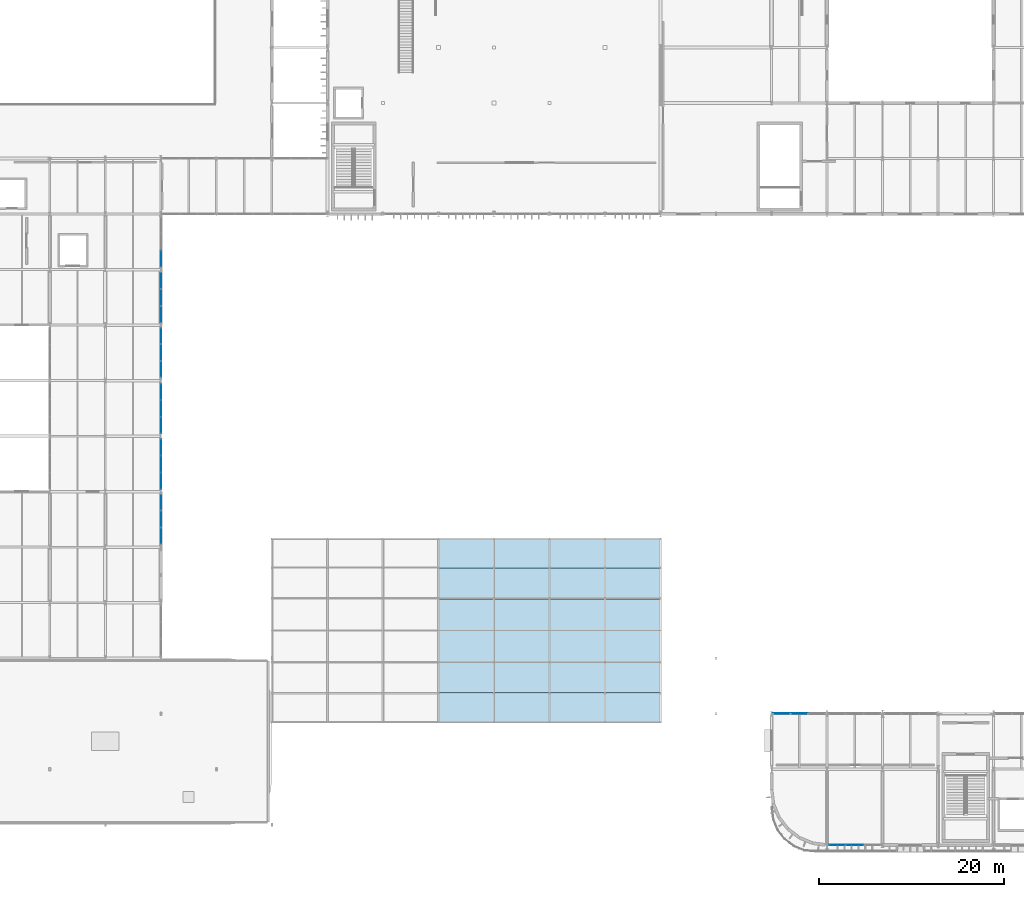
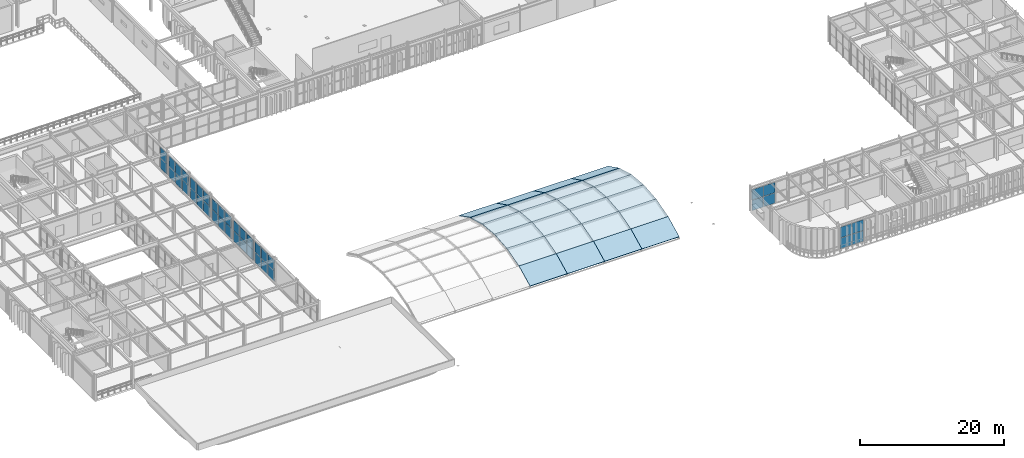
# One storey, part 47 of 84: 40 plates, 24 slabs, 8 elements without a shape of their own.
"""IFC4 building model written with IfcOpenShell, lengths in metres."""

import ifcopenshell
import ifcopenshell.guid

model = None  # the IFC model being written
_history = None  # IfcOwnerHistory: only IFC2X3 demands one
_inside = {}  # id of a spatial element -> (the spatial element, [elements in it])
_under = {}  # id of a project, library or spatial element -> (it, [spatial elements below it])
_declared = {}  # id of a project -> (the project, [libraries it declares])
_typed = {}  # id of a type object -> (the type object, [elements of that type])
_made_of = {}  # id of a material, layer set ... -> (it, [elements and type objects made of it])


def new_model(schema):
    """Start an empty IFC model of exactly this schema.

    Asked for "IFC4X3", IfcOpenShell would pick the latest addendum, in which some entities
    have other attributes; the version numbers below select the first issue.
    IFC2X3 requires an IfcOwnerHistory on every rooted entity: one is made here for all.
    """
    global model, _history
    if schema == "IFC4X3":
        model = ifcopenshell.file(schema_version=(4, 3, 0, 0))
    else:
        model = ifcopenshell.file(schema=schema)
    _inside.clear()
    _under.clear()
    _declared.clear()
    _typed.clear()
    _made_of.clear()
    _history = None
    if model.schema == "IFC2X3":
        org = make("IfcOrganization", Name="unknown")
        user = make(
            "IfcPersonAndOrganization",
            ThePerson=make("IfcPerson", FamilyName="unknown"),
            TheOrganization=org,
        )
        app = make(
            "IfcApplication",
            ApplicationDeveloper=org,
            Version="unknown",
            ApplicationFullName="unknown",
            ApplicationIdentifier="unknown",
        )
        _history = make(
            "IfcOwnerHistory",
            OwningUser=user,
            OwningApplication=app,
            ChangeAction="ADDED",
            CreationDate=0,
        )
    return model


def make(cls, **values):
    """One entity of the class cls with the attributes given. An attribute that is None is left unset."""
    return model.create_entity(
        cls, **{name: value for name, value in values.items() if value is not None}
    )


def rooted(cls, **values):
    """An entity with a GlobalId (a new one), such as an element, a storey or a relation."""
    return make(cls, GlobalId=ifcopenshell.guid.new(), OwnerHistory=_history, **values)


def si_unit(unit_type, name, prefix=None):
    """IfcSIUnit, for example si_unit("LENGTHUNIT", "METRE", prefix="MILLI")."""
    return make("IfcSIUnit", UnitType=unit_type, Prefix=prefix, Name=name)


def assignment(units):
    """IfcUnitAssignment: the units of a project."""
    return None if units is None else make("IfcUnitAssignment", Units=units)


def point(xyz):
    """IfcCartesianPoint."""
    return None if xyz is None else make("IfcCartesianPoint", Coordinates=xyz)


def direction(xyz):
    """IfcDirection."""
    return None if xyz is None else make("IfcDirection", DirectionRatios=xyz)


def frame(location, z_axis=None, x_axis=None):
    """IfcAxis2Placement3D, a coordinate frame: its origin and axes. An axis left out is left unset."""
    return make(
        "IfcAxis2Placement3D",
        Location=point(location),
        Axis=direction(z_axis),
        RefDirection=direction(x_axis),
    )


def frame_2d(location, x_axis=None):
    """IfcAxis2Placement2D, a coordinate frame in the plane: its origin and x axis."""
    return make(
        "IfcAxis2Placement2D", Location=point(location), RefDirection=direction(x_axis)
    )


def origin():
    """The frame at (0, 0, 0) with its axes left unset."""
    return frame((0.0, 0.0, 0.0))


def origin_2d():
    """The frame at (0, 0) in the plane with its x axis left unset."""
    return frame_2d((0.0, 0.0))


def place(relative_to, where):
    """IfcLocalPlacement: puts the frame where relative to a parent placement (None: the world)."""
    return make(
        "IfcLocalPlacement", PlacementRelTo=relative_to, RelativePlacement=where
    )


def context(
    kind, dimensions, precision=None, world=None, true_north=None, identifier=None
):
    """IfcGeometricRepresentationContext, for example the 3D "Model" context."""
    return make(
        "IfcGeometricRepresentationContext",
        ContextIdentifier=identifier,
        ContextType=kind,
        CoordinateSpaceDimension=dimensions,
        Precision=precision,
        WorldCoordinateSystem=world,
        TrueNorth=true_north,
    )


def subcontext(parent, identifier, kind, view, scale=None):
    """IfcGeometricRepresentationSubContext, for example "Body" below "Model"."""
    return make(
        "IfcGeometricRepresentationSubContext",
        ContextIdentifier=identifier,
        ContextType=kind,
        ParentContext=parent,
        TargetScale=scale,
        TargetView=view,
    )


def project(units=None, contexts=None):
    """IfcProject with its units and contexts."""
    return rooted(
        "IfcProject",
        Name="project",
        RepresentationContexts=contexts,
        UnitsInContext=assignment(units),
    )


def spatial(cls, under=None, at=None, **own):
    """A site, building, storey or space (cls), placed at a placement, below another one or the project."""
    s = rooted(cls, ObjectPlacement=at, **own)
    if under is not None:
        _under.setdefault(under.id(), (under, []))[1].append(s)
    return s


def polyline(points):
    """IfcPolyline through the points."""
    return make("IfcPolyline", Points=[point(p) for p in points])


def profile(cls, at=None, kind="AREA", **sizes):
    """A parametric profile (cls). Its sizes go by their IFC names, for example OverallWidth=200.0."""
    return make(cls, ProfileType=kind, Position=at, **sizes)


def rectangle(**sizes):
    """IfcRectangleProfileDef."""
    return profile("IfcRectangleProfileDef", **sizes)


def outline(outer, holes=None, kind="AREA"):
    """IfcArbitraryClosedProfileDef: a profile drawn as a closed curve; with holes, ...WithVoids."""
    if holes is None:
        return make("IfcArbitraryClosedProfileDef", ProfileType=kind, OuterCurve=outer)
    return make(
        "IfcArbitraryProfileDefWithVoids",
        ProfileType=kind,
        OuterCurve=outer,
        InnerCurves=holes,
    )


def extrude(swept, where, along, depth):
    """IfcExtrudedAreaSolid: the profile swept, set in the frame where, extruded along a direction by depth."""
    return make(
        "IfcExtrudedAreaSolid",
        SweptArea=swept,
        Position=where,
        ExtrudedDirection=direction(along),
        Depth=depth,
    )


def shape(context_of_items, identifier, shape_type, items):
    """IfcShapeRepresentation: the items that make up one representation, for example the "Body"."""
    return make(
        "IfcShapeRepresentation",
        ContextOfItems=context_of_items,
        RepresentationIdentifier=identifier,
        RepresentationType=shape_type,
        Items=items,
    )


def material(Name=None, Category=None):
    """IfcMaterial."""
    return make("IfcMaterial", Name=Name, Category=Category)


def layer(
    of_material, thickness, ventilated=None, Name=None, Category=None, Priority=None
):
    """IfcMaterialLayer: one layer of a wall or slab, of a material (None: an air gap)."""
    return make(
        "IfcMaterialLayer",
        Material=of_material,
        LayerThickness=thickness,
        IsVentilated=ventilated,
        Name=Name,
        Category=Category,
        Priority=Priority,
    )


def layer_set(layers, Name=None):
    """IfcMaterialLayerSet."""
    return make("IfcMaterialLayerSet", MaterialLayers=layers, LayerSetName=Name)


def made_of(thing, what):
    """Note that an element or type object is made of a material, layer set ...; save() writes the relation."""
    if what is not None:
        _made_of.setdefault(what.id(), (what, []))[1].append(thing)
    return thing


def type_object(cls, material=None, **own):
    """A type object (cls), such as IfcWallType, which elements share."""
    return made_of(rooted(cls, **own), material)


def element(
    cls,
    number,
    at=None,
    inside=None,
    cuts=None,
    type_object=None,
    material=None,
    context=None,
    identifier="Body",
    shape_type=None,
    held_by="IfcProductDefinitionShape",
    body=None,
    shapes=None,
    **own,
):
    """One element of the class cls, such as IfcWall. Its Tag is "e" and its number.

    at: its placement. inside: the storey or other place that contains it. cuts: it is an
    opening in that element (IfcRelVoidsElement). A single representation is given by context,
    identifier, shape_type and body (its items); several are given by shapes. held_by: the class
    of the entity that holds the representations. save() writes the other relations.
    """
    e = rooted(cls, Tag="e%d" % number, ObjectPlacement=at, **own)
    if body is not None:
        shapes = [shape(context, identifier, shape_type, body)]
    if shapes is not None:
        e.Representation = make(held_by, Representations=shapes)
    if inside is not None:
        _inside.setdefault(inside.id(), (inside, []))[1].append(e)
    if cuts is not None:
        rooted(
            "IfcRelVoidsElement", RelatingBuildingElement=cuts, RelatedOpeningElement=e
        )
    if type_object is not None:
        _typed.setdefault(type_object.id(), (type_object, []))[1].append(e)
    return made_of(e, material)


def aggregate(whole, parts):
    """IfcRelAggregates: a whole, such as a stair, and the parts it consists of."""
    return rooted("IfcRelAggregates", RelatingObject=whole, RelatedObjects=parts)


def save(model, path):
    """Write the relations noted so far, then the file.

    IfcRelAggregates (storeys below a building ...), IfcRelContainedInSpatialStructure (elements
    in a storey), IfcRelDefinesByType, IfcRelAssociatesMaterial and IfcRelDeclares: one each for
    every whole, place, type object, material and project.
    """
    for whole, parts in _under.values():
        aggregate(whole, parts)
    for where, things in _inside.values():
        rooted(
            "IfcRelContainedInSpatialStructure",
            RelatedElements=things,
            RelatingStructure=where,
        )
    for kind, things in _typed.values():
        rooted("IfcRelDefinesByType", RelatedObjects=things, RelatingType=kind)
    for what, things in _made_of.values():
        rooted("IfcRelAssociatesMaterial", RelatedObjects=things, RelatingMaterial=what)
    for by, libraries in _declared.values():
        rooted("IfcRelDeclares", RelatingContext=by, RelatedDefinitions=libraries)
    model.write(path)


model = new_model("IFC4")

# Units and contexts
model_context = context("Model", 3, precision=1e-05, world=origin(), true_north=direction((0.0, 1.0)))
body_context = subcontext(model_context, "Body", "Model", "MODEL_VIEW")
ifc_project = project(units=[si_unit("LENGTHUNIT", "METRE"), si_unit("AREAUNIT", "SQUARE_METRE"), si_unit("VOLUMEUNIT", "CUBIC_METRE"), si_unit("PLANEANGLEUNIT", "RADIAN"), si_unit("MASSUNIT", "GRAM", prefix="KILO")], contexts=[model_context])

# Site, building, storey
site_placement = place(None, origin())
site = spatial("IfcSite", under=ifc_project, at=site_placement, CompositionType="ELEMENT")
building_placement = place(site_placement, origin())
building = spatial("IfcBuilding", under=site, at=building_placement, Name="Varnakota Square Police Headquarters", CompositionType="ELEMENT")
storey_placement = place(building_placement, frame((0.0, 0.0, 13.5)))
storey = spatial("IfcBuildingStorey", under=building, at=storey_placement, Name="L03", CompositionType="ELEMENT", Elevation=13.5)

# Curtain wall, plates
ifc_material_1 = material(Name="Anodised Aluminium Framing", Category="aluminium")
curtain_wall_type_1 = type_object("IfcCurtainWallType", Name="CW-SYS-D", PredefinedType="NOTDEFINED", material=ifc_material_1)
curtain_wall_1_placement = place(storey_placement, origin())
curtain_wall_1 = element("IfcCurtainWall", 1, at=curtain_wall_1_placement, inside=storey, type_object=curtain_wall_type_1, Name="Unitised curtain wall CWG-L03-171", PredefinedType="NOTDEFINED")
ifc_material_2 = material(Name="Solar-Control Laminated Double Glazing", Category="glass")
ifc_layer_1 = layer(ifc_material_2, 0.028076171875, Name="Solar-Control Laminated Double Glazing")
ifc_layer_set_1 = layer_set([ifc_layer_1], Name="Solar-Control Laminated Double Glazing")
plate_type_1 = type_object("IfcPlateType", Name="CWP-GLZ-28", PredefinedType="CURTAIN_PANEL", material=ifc_layer_set_1)
plate_1_placement = place(storey_placement, frame((42.0, 52.21533203125, 0.06494140625), z_axis=(0.0, 0.0, 1.0), x_axis=(0.0, 1.0, 0.0)))
plate_1 = element("IfcPlate", 2, at=plate_1_placement, type_object=plate_type_1, Name="CWG-L03-171 panel 1.1", PredefinedType="CURTAIN_PANEL", context=body_context, shape_type="SweptSolid", body=[
    extrude(rectangle(XDim=1.74072265625, YDim=0.028076171875, at=origin_2d()), origin(), (0.0, 0.0, 1.0), 1.7724609375),
])
plate_2_placement = place(storey_placement, frame((42.0, 54.03759765625, 0.06494140625), z_axis=(0.0, 0.0, 1.0), x_axis=(0.0, 1.0, 0.0)))
plate_2 = element("IfcPlate", 3, at=plate_2_placement, type_object=plate_type_1, Name="CWG-L03-171 panel 2.1", PredefinedType="CURTAIN_PANEL", context=body_context, shape_type="SweptSolid", body=[
    extrude(rectangle(XDim=1.7734375, YDim=0.028076171875, at=origin_2d()), origin(), (0.0, 0.0, 1.0), 1.7724609375),
])
plate_3_placement = place(storey_placement, frame((42.0, 55.859619140625, 0.06494140625), z_axis=(0.0, 0.0, 1.0), x_axis=(0.0, 1.0, 0.0)))
plate_3 = element("IfcPlate", 4, at=plate_3_placement, type_object=plate_type_1, Name="CWG-L03-171 panel 3.1", PredefinedType="CURTAIN_PANEL", context=body_context, shape_type="SweptSolid", body=[
    extrude(rectangle(XDim=1.74072265625, YDim=0.028076171875, at=origin_2d()), origin(), (0.0, 0.0, 1.0), 1.7724609375),
])

curtain_wall_2_placement = place(storey_placement, origin())
curtain_wall_2 = element("IfcCurtainWall", 5, at=curtain_wall_2_placement, inside=storey, type_object=curtain_wall_type_1, Name="Unitised curtain wall CWG-L03-080", PredefinedType="NOTDEFINED")
ifc_material_3 = material(Name="Acoustic Laminated Double Glazing", Category="glass")
ifc_layer_2 = layer(ifc_material_3, 0.031982421875, Name="Acoustic Laminated Double Glazing")
ifc_layer_set_2 = layer_set([ifc_layer_2], Name="Acoustic Laminated Double Glazing")
plate_type_2 = type_object("IfcPlateType", Name="CWP-GLZ-32", PredefinedType="CURTAIN_PANEL", material=ifc_layer_set_2)
plate_4_placement = place(storey_placement, frame((109.106201171875, 15.0, 0.06494140625), z_axis=(0.0, 0.0, 1.0), x_axis=(1.0, 0.0, 0.0)))
plate_4 = element("IfcPlate", 6, at=plate_4_placement, type_object=plate_type_2, Name="CWG-L03-080 panel 1.1", PredefinedType="CURTAIN_PANEL", context=body_context, shape_type="SweptSolid", body=[
    extrude(rectangle(XDim=1.822509765625, YDim=0.031982421875, at=origin_2d()), origin(), (0.0, 0.0, 1.0), 1.74755859375),
])
plate_5_placement = place(storey_placement, frame((111.010009765625, 15.0, 0.06494140625), z_axis=(0.0, 0.0, 1.0), x_axis=(1.0, 0.0, 0.0)))
plate_5 = element("IfcPlate", 7, at=plate_5_placement, type_object=plate_type_2, Name="CWG-L03-080 panel 2.1", PredefinedType="CURTAIN_PANEL", context=body_context, shape_type="SweptSolid", body=[
    extrude(rectangle(XDim=1.85498046875, YDim=0.031982421875, at=origin_2d()), origin(), (0.0, 0.0, 1.0), 1.74755859375),
])

curtain_wall_3_placement = place(storey_placement, origin())
curtain_wall_3 = element("IfcCurtainWall", 8, at=curtain_wall_3_placement, inside=storey, type_object=curtain_wall_type_1, Name="Unitised curtain wall CWG-L03-168", PredefinedType="NOTDEFINED")
plate_6_placement = place(storey_placement, frame((42.0, 34.21533203125, 0.06494140625), z_axis=(0.0, 0.0, 1.0), x_axis=(0.0, 1.0, 0.0)))
plate_6 = element("IfcPlate", 9, at=plate_6_placement, type_object=plate_type_2, Name="CWG-L03-168 panel 1.1", PredefinedType="CURTAIN_PANEL", context=body_context, shape_type="SweptSolid", body=[
    extrude(rectangle(XDim=1.74072265625, YDim=0.031982421875, at=origin_2d()), origin(), (0.0, 0.0, 1.0), 1.74755859375),
])
plate_7_placement = place(storey_placement, frame((42.0, 36.03759765625, 0.06494140625), z_axis=(0.0, 0.0, 1.0), x_axis=(0.0, 1.0, 0.0)))
plate_7 = element("IfcPlate", 10, at=plate_7_placement, type_object=plate_type_2, Name="CWG-L03-168 panel 2.1", PredefinedType="CURTAIN_PANEL", context=body_context, shape_type="SweptSolid", body=[
    extrude(rectangle(XDim=1.7734375, YDim=0.031982421875, at=origin_2d()), origin(), (0.0, 0.0, 1.0), 1.74755859375),
])
plate_8_placement = place(storey_placement, frame((42.0, 37.859619140625, 0.06494140625), z_axis=(0.0, 0.0, 1.0), x_axis=(0.0, 1.0, 0.0)))
plate_8 = element("IfcPlate", 11, at=plate_8_placement, type_object=plate_type_2, Name="CWG-L03-168 panel 3.1", PredefinedType="CURTAIN_PANEL", context=body_context, shape_type="SweptSolid", body=[
    extrude(rectangle(XDim=1.74072265625, YDim=0.031982421875, at=origin_2d()), origin(), (0.0, 0.0, 1.0), 1.74755859375),
])

curtain_wall_4_placement = place(storey_placement, origin())
curtain_wall_4 = element("IfcCurtainWall", 12, at=curtain_wall_4_placement, inside=storey, type_object=curtain_wall_type_1, Name="Unitised curtain wall CWG-L03-172", PredefinedType="NOTDEFINED")
plate_9_placement = place(storey_placement, frame((42.0, 58.14453125, 0.06494140625), z_axis=(0.0, 0.0, 1.0), x_axis=(0.0, 1.0, 0.0)))
plate_9 = element("IfcPlate", 13, at=plate_9_placement, type_object=plate_type_2, Name="CWG-L03-172 panel 1.1", PredefinedType="CURTAIN_PANEL", context=body_context, shape_type="SweptSolid", body=[
    extrude(rectangle(XDim=1.749267578125, YDim=0.031982421875, at=origin_2d()), origin(), (0.0, 0.0, 1.0), 1.7724609375),
])
plate_10_placement = place(storey_placement, frame((42.0, 59.97509765625, 0.06494140625), z_axis=(0.0, 0.0, 1.0), x_axis=(0.0, 1.0, 0.0)))
plate_10 = element("IfcPlate", 14, at=plate_10_placement, type_object=plate_type_2, Name="CWG-L03-172 panel 2.1", PredefinedType="CURTAIN_PANEL", context=body_context, shape_type="SweptSolid", body=[
    extrude(rectangle(XDim=1.78173828125, YDim=0.031982421875, at=origin_2d()), origin(), (0.0, 0.0, 1.0), 1.7724609375),
])
plate_11_placement = place(storey_placement, frame((42.0, 61.805419921875, 0.06494140625), z_axis=(0.0, 0.0, 1.0), x_axis=(0.0, 1.0, 0.0)))
plate_11 = element("IfcPlate", 15, at=plate_11_placement, type_object=plate_type_2, Name="CWG-L03-172 panel 3.1", PredefinedType="CURTAIN_PANEL", context=body_context, shape_type="SweptSolid", body=[
    extrude(rectangle(XDim=1.749267578125, YDim=0.031982421875, at=origin_2d()), origin(), (0.0, 0.0, 1.0), 1.7724609375),
])

curtain_wall_type_2 = type_object("IfcCurtainWallType", Name="CW-SYS-C", PredefinedType="NOTDEFINED", material=ifc_material_1)
curtain_wall_5_placement = place(storey_placement, origin())
curtain_wall_5 = element("IfcCurtainWall", 16, at=curtain_wall_5_placement, inside=storey, type_object=curtain_wall_type_2, Name="Unitised curtain wall CWG-L03-077", PredefinedType="NOTDEFINED")
ifc_material_4 = material(Name="Blast-Resistant Laminated Glazing", Category="glass")
ifc_layer_3 = layer(ifc_material_4, 0.035888671875, Name="Blast-Resistant Laminated Glazing")
ifc_layer_set_3 = layer_set([ifc_layer_3], Name="Blast-Resistant Laminated Glazing")
plate_type_3 = type_object("IfcPlateType", Name="CWP-GLZ-36", PredefinedType="CURTAIN_PANEL", material=ifc_layer_set_3)
plate_12_placement = place(storey_placement, frame((115.132080078125, 0.800048828125, 0.06494140625), z_axis=(0.0, 0.0, 1.0), x_axis=(1.0, 0.0, 0.0)))
plate_12 = element("IfcPlate", 17, at=plate_12_placement, type_object=plate_type_3, Name="CWG-L03-077 panel 1.1", PredefinedType="CURTAIN_PANEL", context=body_context, shape_type="SweptSolid", body=[
    extrude(rectangle(XDim=1.80419921875, YDim=0.035888671875, at=origin_2d()), origin(), (0.0, 0.0, 1.0), 1.822509765625),
])
plate_13_placement = place(storey_placement, frame((117.017578125, 0.800048828125, 0.06494140625), z_axis=(0.0, 0.0, 1.0), x_axis=(1.0, 0.0, 0.0)))
plate_13 = element("IfcPlate", 18, at=plate_13_placement, type_object=plate_type_3, Name="CWG-L03-077 panel 2.1", PredefinedType="CURTAIN_PANEL", context=body_context, shape_type="SweptSolid", body=[
    extrude(rectangle(XDim=1.836669921875, YDim=0.035888671875, at=origin_2d()), origin(), (0.0, 0.0, 1.0), 1.822509765625),
])

curtain_wall_6_placement = place(storey_placement, origin())
curtain_wall_6 = element("IfcCurtainWall", 19, at=curtain_wall_6_placement, inside=storey, type_object=curtain_wall_type_1, Name="Unitised curtain wall CWG-L03-169", PredefinedType="NOTDEFINED")
plate_14_placement = place(storey_placement, frame((42.0, 40.14453125, 0.06494140625), z_axis=(0.0, 0.0, 1.0), x_axis=(0.0, 1.0, 0.0)))
plate_14 = element("IfcPlate", 20, at=plate_14_placement, type_object=plate_type_3, Name="CWG-L03-169 panel 1.1", PredefinedType="CURTAIN_PANEL", context=body_context, shape_type="SweptSolid", body=[
    extrude(rectangle(XDim=1.749267578125, YDim=0.035888671875, at=origin_2d()), origin(), (0.0, 0.0, 1.0), 1.74755859375),
])
plate_15_placement = place(storey_placement, frame((42.0, 41.97509765625, 0.06494140625), z_axis=(0.0, 0.0, 1.0), x_axis=(0.0, 1.0, 0.0)))
plate_15 = element("IfcPlate", 21, at=plate_15_placement, type_object=plate_type_3, Name="CWG-L03-169 panel 2.1", PredefinedType="CURTAIN_PANEL", context=body_context, shape_type="SweptSolid", body=[
    extrude(rectangle(XDim=1.78173828125, YDim=0.035888671875, at=origin_2d()), origin(), (0.0, 0.0, 1.0), 1.74755859375),
])
plate_16_placement = place(storey_placement, frame((42.0, 43.805419921875, 0.06494140625), z_axis=(0.0, 0.0, 1.0), x_axis=(0.0, 1.0, 0.0)))
plate_16 = element("IfcPlate", 22, at=plate_16_placement, type_object=plate_type_3, Name="CWG-L03-169 panel 3.1", PredefinedType="CURTAIN_PANEL", context=body_context, shape_type="SweptSolid", body=[
    extrude(rectangle(XDim=1.749267578125, YDim=0.035888671875, at=origin_2d()), origin(), (0.0, 0.0, 1.0), 1.74755859375),
])

# Curtain wall, plate
curtain_wall_7_placement = place(storey_placement, origin())
curtain_wall_7 = element("IfcCurtainWall", 23, at=curtain_wall_7_placement, inside=storey, type_object=curtain_wall_type_1, Name="Unitised curtain wall CWG-L03-173", PredefinedType="NOTDEFINED")
plate_17_placement = place(storey_placement, frame((42.0, 64.18212890625, 0.06494140625), z_axis=(0.0, 0.0, 1.0), x_axis=(0.0, 1.0, 0.0)))
plate_17 = element("IfcPlate", 24, at=plate_17_placement, type_object=plate_type_3, Name="CWG-L03-173 panel 1.1", PredefinedType="CURTAIN_PANEL", context=body_context, shape_type="SweptSolid", body=[
    extrude(rectangle(XDim=1.72412109375, YDim=0.035888671875, at=origin_2d()), origin(), (0.0, 0.0, 1.0), 1.794189453125),
])

# Curtain wall, plates
curtain_wall_8_placement = place(storey_placement, origin())
curtain_wall_8 = element("IfcCurtainWall", 25, at=curtain_wall_8_placement, inside=storey, type_object=curtain_wall_type_1, Name="Unitised curtain wall CWG-L03-170", PredefinedType="NOTDEFINED")
ifc_material_5 = material(Name="Triple-Glazed Clean-Lab Vision Unit", Category="aluminium")
ifc_layer_4 = layer(ifc_material_5, 0.0419921875, Name="Triple-Glazed Clean-Lab Vision Unit")
ifc_layer_set_4 = layer_set([ifc_layer_4], Name="Triple-Glazed Clean-Lab Vision Unit")
plate_type_4 = type_object("IfcPlateType", Name="CWP-GLZ-42", PredefinedType="CURTAIN_PANEL", material=ifc_layer_set_4)
plate_18_placement = place(storey_placement, frame((42.0, 46.18212890625, 0.06494140625), z_axis=(0.0, 0.0, 1.0), x_axis=(0.0, 1.0, 0.0)))
plate_18 = element("IfcPlate", 26, at=plate_18_placement, type_object=plate_type_4, Name="CWG-L03-170 panel 1.1", PredefinedType="CURTAIN_PANEL", context=body_context, shape_type="SweptSolid", body=[
    extrude(rectangle(XDim=1.72412109375, YDim=0.0419921875, at=origin_2d()), origin(), (0.0, 0.0, 1.0), 1.7724609375),
])
plate_19_placement = place(storey_placement, frame((42.0, 47.987548828125, 0.06494140625), z_axis=(0.0, 0.0, 1.0), x_axis=(0.0, 1.0, 0.0)))
plate_19 = element("IfcPlate", 27, at=plate_19_placement, type_object=plate_type_4, Name="CWG-L03-170 panel 2.1", PredefinedType="CURTAIN_PANEL", context=body_context, shape_type="SweptSolid", body=[
    extrude(rectangle(XDim=1.756591796875, YDim=0.0419921875, at=origin_2d()), origin(), (0.0, 0.0, 1.0), 1.7724609375),
])
plate_20_placement = place(storey_placement, frame((42.0, 49.79296875, 0.06494140625), z_axis=(0.0, 0.0, 1.0), x_axis=(0.0, 1.0, 0.0)))
plate_20 = element("IfcPlate", 28, at=plate_20_placement, type_object=plate_type_4, Name="CWG-L03-170 panel 3.1", PredefinedType="CURTAIN_PANEL", context=body_context, shape_type="SweptSolid", body=[
    extrude(rectangle(XDim=1.72412109375, YDim=0.0419921875, at=origin_2d()), origin(), (0.0, 0.0, 1.0), 1.7724609375),
])

# Plate
ifc_material_6 = material(Name="Insulated Anodised Aluminium Spandrel Panel", Category="aluminium")
ifc_layer_5 = layer(ifc_material_6, 0.050048828125, Name="Insulated Anodised Aluminium Spandrel Panel")
ifc_layer_set_5 = layer_set([ifc_layer_5], Name="Insulated Anodised Aluminium Spandrel Panel")
plate_type_5 = type_object("IfcPlateType", Name="CWP-SPN-50", PredefinedType="CURTAIN_PANEL", material=ifc_layer_set_5)
plate_21_placement = place(storey_placement, frame((115.132080078125, 0.800048828125, 1.95263671875), z_axis=(0.0, 0.0, 1.0), x_axis=(1.0, 0.0, 0.0)))
plate_21 = element("IfcPlate", 29, at=plate_21_placement, type_object=plate_type_5, Name="CWG-L03-077 panel 1.2", PredefinedType="CURTAIN_PANEL", context=body_context, shape_type="SweptSolid", body=[
    extrude(rectangle(XDim=1.80419921875, YDim=0.050048828125, at=origin_2d()), origin(), (0.0, 0.0, 1.0), 1.822509765625),
])

plate_22_placement = place(storey_placement, frame((117.017578125, 0.800048828125, 1.95263671875), z_axis=(0.0, 0.0, 1.0), x_axis=(1.0, 0.0, 0.0)))
plate_22 = element("IfcPlate", 30, at=plate_22_placement, type_object=plate_type_5, Name="CWG-L03-077 panel 2.2", PredefinedType="CURTAIN_PANEL", context=body_context, shape_type="SweptSolid", body=[
    extrude(rectangle(XDim=1.836669921875, YDim=0.050048828125, at=origin_2d()), origin(), (0.0, 0.0, 1.0), 1.822509765625),
])

aggregate(curtain_wall_5, [plate_12, plate_21, plate_13, plate_22])

plate_23_placement = place(storey_placement, frame((42.0, 40.14453125, 1.87744140625), z_axis=(0.0, 0.0, 1.0), x_axis=(0.0, 1.0, 0.0)))
plate_23 = element("IfcPlate", 31, at=plate_23_placement, type_object=plate_type_5, Name="CWG-L03-169 panel 1.2", PredefinedType="CURTAIN_PANEL", context=body_context, shape_type="SweptSolid", body=[
    extrude(rectangle(XDim=1.749267578125, YDim=0.050048828125, at=origin_2d()), origin(), (0.0, 0.0, 1.0), 1.74755859375),
])

plate_24_placement = place(storey_placement, frame((42.0, 41.97509765625, 1.87744140625), z_axis=(0.0, 0.0, 1.0), x_axis=(0.0, 1.0, 0.0)))
plate_24 = element("IfcPlate", 32, at=plate_24_placement, type_object=plate_type_5, Name="CWG-L03-169 panel 2.2", PredefinedType="CURTAIN_PANEL", context=body_context, shape_type="SweptSolid", body=[
    extrude(rectangle(XDim=1.78173828125, YDim=0.050048828125, at=origin_2d()), origin(), (0.0, 0.0, 1.0), 1.74755859375),
])

plate_25_placement = place(storey_placement, frame((42.0, 43.805419921875, 1.87744140625), z_axis=(0.0, 0.0, 1.0), x_axis=(0.0, 1.0, 0.0)))
plate_25 = element("IfcPlate", 33, at=plate_25_placement, type_object=plate_type_5, Name="CWG-L03-169 panel 3.2", PredefinedType="CURTAIN_PANEL", context=body_context, shape_type="SweptSolid", body=[
    extrude(rectangle(XDim=1.749267578125, YDim=0.050048828125, at=origin_2d()), origin(), (0.0, 0.0, 1.0), 1.74755859375),
])

aggregate(curtain_wall_6, [plate_14, plate_23, plate_15, plate_24, plate_16, plate_25])

plate_26_placement = place(storey_placement, frame((42.0, 52.21533203125, 1.902587890625), z_axis=(0.0, 0.0, 1.0), x_axis=(0.0, 1.0, 0.0)))
plate_26 = element("IfcPlate", 34, at=plate_26_placement, type_object=plate_type_5, Name="CWG-L03-171 panel 1.2", PredefinedType="CURTAIN_PANEL", context=body_context, shape_type="SweptSolid", body=[
    extrude(rectangle(XDim=1.74072265625, YDim=0.050048828125, at=origin_2d()), origin(), (0.0, 0.0, 1.0), 1.7724609375),
])

plate_27_placement = place(storey_placement, frame((42.0, 54.03759765625, 1.902587890625), z_axis=(0.0, 0.0, 1.0), x_axis=(0.0, 1.0, 0.0)))
plate_27 = element("IfcPlate", 35, at=plate_27_placement, type_object=plate_type_5, Name="CWG-L03-171 panel 2.2", PredefinedType="CURTAIN_PANEL", context=body_context, shape_type="SweptSolid", body=[
    extrude(rectangle(XDim=1.7734375, YDim=0.050048828125, at=origin_2d()), origin(), (0.0, 0.0, 1.0), 1.7724609375),
])

plate_28_placement = place(storey_placement, frame((42.0, 55.859619140625, 1.902587890625), z_axis=(0.0, 0.0, 1.0), x_axis=(0.0, 1.0, 0.0)))
plate_28 = element("IfcPlate", 36, at=plate_28_placement, type_object=plate_type_5, Name="CWG-L03-171 panel 3.2", PredefinedType="CURTAIN_PANEL", context=body_context, shape_type="SweptSolid", body=[
    extrude(rectangle(XDim=1.74072265625, YDim=0.050048828125, at=origin_2d()), origin(), (0.0, 0.0, 1.0), 1.7724609375),
])

aggregate(curtain_wall_1, [plate_1, plate_26, plate_2, plate_27, plate_3, plate_28])

plate_29_placement = place(storey_placement, frame((42.0, 64.18212890625, 1.92431640625), z_axis=(0.0, 0.0, 1.0), x_axis=(0.0, 1.0, 0.0)))
plate_29 = element("IfcPlate", 37, at=plate_29_placement, type_object=plate_type_5, Name="CWG-L03-173 panel 1.2", PredefinedType="CURTAIN_PANEL", context=body_context, shape_type="SweptSolid", body=[
    extrude(rectangle(XDim=1.72412109375, YDim=0.050048828125, at=origin_2d()), origin(), (0.0, 0.0, 1.0), 1.794189453125),
])

aggregate(curtain_wall_7, [plate_17, plate_29])

ifc_material_7 = material(Name="Fire-Stopped Mineral-Wool Spandrel Panel", Category="aluminium")
ifc_layer_6 = layer(ifc_material_7, 0.06005859375, Name="Fire-Stopped Mineral-Wool Spandrel Panel")
ifc_layer_set_6 = layer_set([ifc_layer_6], Name="Fire-Stopped Mineral-Wool Spandrel Panel")
plate_type_6 = type_object("IfcPlateType", Name="CWP-SPN-60", PredefinedType="CURTAIN_PANEL", material=ifc_layer_set_6)
plate_30_placement = place(storey_placement, frame((109.106201171875, 15.0, 1.87744140625), z_axis=(0.0, 0.0, 1.0), x_axis=(1.0, 0.0, 0.0)))
plate_30 = element("IfcPlate", 38, at=plate_30_placement, type_object=plate_type_6, Name="CWG-L03-080 panel 1.2", PredefinedType="CURTAIN_PANEL", context=body_context, shape_type="SweptSolid", body=[
    extrude(rectangle(XDim=1.822509765625, YDim=0.06005859375, at=origin_2d()), origin(), (0.0, 0.0, 1.0), 1.74755859375),
])

plate_31_placement = place(storey_placement, frame((111.010009765625, 15.0, 1.87744140625), z_axis=(0.0, 0.0, 1.0), x_axis=(1.0, 0.0, 0.0)))
plate_31 = element("IfcPlate", 39, at=plate_31_placement, type_object=plate_type_6, Name="CWG-L03-080 panel 2.2", PredefinedType="CURTAIN_PANEL", context=body_context, shape_type="SweptSolid", body=[
    extrude(rectangle(XDim=1.85498046875, YDim=0.06005859375, at=origin_2d()), origin(), (0.0, 0.0, 1.0), 1.74755859375),
])

aggregate(curtain_wall_2, [plate_4, plate_30, plate_5, plate_31])

plate_32_placement = place(storey_placement, frame((42.0, 34.21533203125, 1.87744140625), z_axis=(0.0, 0.0, 1.0), x_axis=(0.0, 1.0, 0.0)))
plate_32 = element("IfcPlate", 40, at=plate_32_placement, type_object=plate_type_6, Name="CWG-L03-168 panel 1.2", PredefinedType="CURTAIN_PANEL", context=body_context, shape_type="SweptSolid", body=[
    extrude(rectangle(XDim=1.74072265625, YDim=0.06005859375, at=origin_2d()), origin(), (0.0, 0.0, 1.0), 1.74755859375),
])

plate_33_placement = place(storey_placement, frame((42.0, 36.03759765625, 1.87744140625), z_axis=(0.0, 0.0, 1.0), x_axis=(0.0, 1.0, 0.0)))
plate_33 = element("IfcPlate", 41, at=plate_33_placement, type_object=plate_type_6, Name="CWG-L03-168 panel 2.2", PredefinedType="CURTAIN_PANEL", context=body_context, shape_type="SweptSolid", body=[
    extrude(rectangle(XDim=1.7734375, YDim=0.06005859375, at=origin_2d()), origin(), (0.0, 0.0, 1.0), 1.74755859375),
])

plate_34_placement = place(storey_placement, frame((42.0, 37.859619140625, 1.87744140625), z_axis=(0.0, 0.0, 1.0), x_axis=(0.0, 1.0, 0.0)))
plate_34 = element("IfcPlate", 42, at=plate_34_placement, type_object=plate_type_6, Name="CWG-L03-168 panel 3.2", PredefinedType="CURTAIN_PANEL", context=body_context, shape_type="SweptSolid", body=[
    extrude(rectangle(XDim=1.74072265625, YDim=0.06005859375, at=origin_2d()), origin(), (0.0, 0.0, 1.0), 1.74755859375),
])

aggregate(curtain_wall_3, [plate_6, plate_32, plate_7, plate_33, plate_8, plate_34])

plate_35_placement = place(storey_placement, frame((42.0, 46.18212890625, 1.902587890625), z_axis=(0.0, 0.0, 1.0), x_axis=(0.0, 1.0, 0.0)))
plate_35 = element("IfcPlate", 43, at=plate_35_placement, type_object=plate_type_6, Name="CWG-L03-170 panel 1.2", PredefinedType="CURTAIN_PANEL", context=body_context, shape_type="SweptSolid", body=[
    extrude(rectangle(XDim=1.72412109375, YDim=0.06005859375, at=origin_2d()), origin(), (0.0, 0.0, 1.0), 1.7724609375),
])

plate_36_placement = place(storey_placement, frame((42.0, 47.987548828125, 1.902587890625), z_axis=(0.0, 0.0, 1.0), x_axis=(0.0, 1.0, 0.0)))
plate_36 = element("IfcPlate", 44, at=plate_36_placement, type_object=plate_type_6, Name="CWG-L03-170 panel 2.2", PredefinedType="CURTAIN_PANEL", context=body_context, shape_type="SweptSolid", body=[
    extrude(rectangle(XDim=1.756591796875, YDim=0.06005859375, at=origin_2d()), origin(), (0.0, 0.0, 1.0), 1.7724609375),
])

plate_37_placement = place(storey_placement, frame((42.0, 49.79296875, 1.902587890625), z_axis=(0.0, 0.0, 1.0), x_axis=(0.0, 1.0, 0.0)))
plate_37 = element("IfcPlate", 45, at=plate_37_placement, type_object=plate_type_6, Name="CWG-L03-170 panel 3.2", PredefinedType="CURTAIN_PANEL", context=body_context, shape_type="SweptSolid", body=[
    extrude(rectangle(XDim=1.72412109375, YDim=0.06005859375, at=origin_2d()), origin(), (0.0, 0.0, 1.0), 1.7724609375),
])

aggregate(curtain_wall_8, [plate_18, plate_35, plate_19, plate_36, plate_20, plate_37])

plate_38_placement = place(storey_placement, frame((42.0, 58.14453125, 1.902587890625), z_axis=(0.0, 0.0, 1.0), x_axis=(0.0, 1.0, 0.0)))
plate_38 = element("IfcPlate", 46, at=plate_38_placement, type_object=plate_type_6, Name="CWG-L03-172 panel 1.2", PredefinedType="CURTAIN_PANEL", context=body_context, shape_type="SweptSolid", body=[
    extrude(rectangle(XDim=1.749267578125, YDim=0.06005859375, at=origin_2d()), origin(), (0.0, 0.0, 1.0), 1.7724609375),
])

plate_39_placement = place(storey_placement, frame((42.0, 59.97509765625, 1.902587890625), z_axis=(0.0, 0.0, 1.0), x_axis=(0.0, 1.0, 0.0)))
plate_39 = element("IfcPlate", 47, at=plate_39_placement, type_object=plate_type_6, Name="CWG-L03-172 panel 2.2", PredefinedType="CURTAIN_PANEL", context=body_context, shape_type="SweptSolid", body=[
    extrude(rectangle(XDim=1.78173828125, YDim=0.06005859375, at=origin_2d()), origin(), (0.0, 0.0, 1.0), 1.7724609375),
])

plate_40_placement = place(storey_placement, frame((42.0, 61.805419921875, 1.902587890625), z_axis=(0.0, 0.0, 1.0), x_axis=(0.0, 1.0, 0.0)))
plate_40 = element("IfcPlate", 48, at=plate_40_placement, type_object=plate_type_6, Name="CWG-L03-172 panel 3.2", PredefinedType="CURTAIN_PANEL", context=body_context, shape_type="SweptSolid", body=[
    extrude(rectangle(XDim=1.749267578125, YDim=0.06005859375, at=origin_2d()), origin(), (0.0, 0.0, 1.0), 1.7724609375),
])

aggregate(curtain_wall_4, [plate_9, plate_38, plate_10, plate_39, plate_11, plate_40])

# Slabs
ifc_material_8 = material(Name="Concrete M40", Category="concrete")
ifc_layer_7 = layer(ifc_material_8, 0.139892578125, Name="Concrete M40")
ifc_layer_set_7 = layer_set([ifc_layer_7], Name="Concrete M40")
slab_type = type_object("IfcSlabType", Name="SL-VLT-140", PredefinedType="ROOF", material=ifc_layer_set_7)
slab_1_placement = place(storey_placement, frame((72.0, 14.097900390625, 0.471923828125), z_axis=(0.0, -0.447241719267, 0.894413128564), x_axis=(1.0, 0.0, 0.0)))
element("IfcSlab", 49, at=slab_1_placement, inside=storey, type_object=slab_type, Name="Barrel vault roof deck strip V1-B04-S03", PredefinedType="ROOF", context=body_context, shape_type="SweptSolid", body=[
    extrude(outline(polyline([(0.0, 0.0), (6.0, 0.0), (6.0, 3.472347164237344), (0.0, 3.472347164237344), (0.0, 0.0)])), origin(), (0.0, 0.0, -1.0), 0.139892578125),
])
slab_2_placement = place(storey_placement, frame((72.0, 17.20361328125, 2.02490234375), z_axis=(0.0, -0.274628265229, 0.961550474981), x_axis=(1.0, 0.0, 0.0)))
element("IfcSlab", 50, at=slab_2_placement, inside=storey, type_object=slab_type, Name="Barrel vault roof deck strip V1-B04-S04", PredefinedType="ROOF", context=body_context, shape_type="SweptSolid", body=[
    extrude(outline(polyline([(0.0, 0.0), (6.0, 0.0), (6.0, 3.4723784911700735), (0.0, 3.4723784911700735), (0.0, 0.0)])), origin(), (0.0, 0.0, -1.0), 0.139892578125),
])
for number, where, z_axis, x_axis, name in (
    (51, (72.0, 20.54248046875, 2.978515625), (0.0, -0.092595811122, 0.995703779124), (1.0, 0.0, 0.0), "Barrel vault roof deck strip V1-B04-S05"),
    (52, (72.0, 24.0, 3.300048828125), (0.0, 0.092595811122, 0.995703779124), (1.0, 0.0, 0.0), "Barrel vault roof deck strip V1-B04-S06"),
):
    element("IfcSlab", number, at=place(storey_placement, frame(where, z_axis=z_axis, x_axis=x_axis)), inside=storey, type_object=slab_type, Name=name, PredefinedType="ROOF", context=body_context, shape_type="SweptSolid", body=[
        extrude(outline(polyline([(0.0, 0.0), (6.0, 0.0), (6.0, 3.4724378914081444), (0.0, 3.4724378914081444), (0.0, 0.0)])), origin(), (0.0, 0.0, -1.0), 0.139892578125),
    ])
slab_3_placement = place(storey_placement, frame((72.0, 27.45751953125, 2.978515625), z_axis=(0.0, 0.274628265229, 0.961550474981), x_axis=(1.0, 0.0, 0.0)))
element("IfcSlab", 53, at=slab_3_placement, inside=storey, type_object=slab_type, Name="Barrel vault roof deck strip V1-B04-S07", PredefinedType="ROOF", context=body_context, shape_type="SweptSolid", body=[
    extrude(outline(polyline([(0.0, 0.0), (6.0, 0.0), (6.0, 3.4723784911700735), (0.0, 3.4723784911700735), (0.0, 0.0)])), origin(), (0.0, 0.0, -1.0), 0.139892578125),
])
for number, where, z_axis, x_axis, name in (
    (54, (72.0, 30.79638671875, 2.02490234375), (0.0, 0.447241719267, 0.894413128564), (1.0, 0.0, 0.0), "Barrel vault roof deck strip V1-B04-S08"),
    (55, (78.0, 14.097900390625, 0.471923828125), (0.0, -0.447241719267, 0.894413128564), (1.0, 0.0, 0.0), "Barrel vault roof deck strip V1-B05-S03"),
):
    element("IfcSlab", number, at=place(storey_placement, frame(where, z_axis=z_axis, x_axis=x_axis)), inside=storey, type_object=slab_type, Name=name, PredefinedType="ROOF", context=body_context, shape_type="SweptSolid", body=[
        extrude(outline(polyline([(0.0, 0.0), (6.0, 0.0), (6.0, 3.472347164237344), (0.0, 3.472347164237344), (0.0, 0.0)])), origin(), (0.0, 0.0, -1.0), 0.139892578125),
    ])
slab_4_placement = place(storey_placement, frame((78.0, 17.20361328125, 2.02490234375), z_axis=(0.0, -0.274628265229, 0.961550474981), x_axis=(1.0, 0.0, 0.0)))
element("IfcSlab", 56, at=slab_4_placement, inside=storey, type_object=slab_type, Name="Barrel vault roof deck strip V1-B05-S04", PredefinedType="ROOF", context=body_context, shape_type="SweptSolid", body=[
    extrude(outline(polyline([(0.0, 0.0), (6.0, 0.0), (6.0, 3.4723784911700735), (0.0, 3.4723784911700735), (0.0, 0.0)])), origin(), (0.0, 0.0, -1.0), 0.139892578125),
])
for number, where, z_axis, x_axis, name in (
    (57, (78.0, 20.54248046875, 2.978515625), (0.0, -0.092595811122, 0.995703779124), (1.0, 0.0, 0.0), "Barrel vault roof deck strip V1-B05-S05"),
    (58, (78.0, 24.0, 3.300048828125), (0.0, 0.092595811122, 0.995703779124), (1.0, 0.0, 0.0), "Barrel vault roof deck strip V1-B05-S06"),
):
    element("IfcSlab", number, at=place(storey_placement, frame(where, z_axis=z_axis, x_axis=x_axis)), inside=storey, type_object=slab_type, Name=name, PredefinedType="ROOF", context=body_context, shape_type="SweptSolid", body=[
        extrude(outline(polyline([(0.0, 0.0), (6.0, 0.0), (6.0, 3.4724378914081444), (0.0, 3.4724378914081444), (0.0, 0.0)])), origin(), (0.0, 0.0, -1.0), 0.139892578125),
    ])
slab_5_placement = place(storey_placement, frame((78.0, 27.45751953125, 2.978515625), z_axis=(0.0, 0.274628265229, 0.961550474981), x_axis=(1.0, 0.0, 0.0)))
element("IfcSlab", 59, at=slab_5_placement, inside=storey, type_object=slab_type, Name="Barrel vault roof deck strip V1-B05-S07", PredefinedType="ROOF", context=body_context, shape_type="SweptSolid", body=[
    extrude(outline(polyline([(0.0, 0.0), (6.0, 0.0), (6.0, 3.4723784911700735), (0.0, 3.4723784911700735), (0.0, 0.0)])), origin(), (0.0, 0.0, -1.0), 0.139892578125),
])
for number, where, z_axis, x_axis, name in (
    (60, (78.0, 30.79638671875, 2.02490234375), (0.0, 0.447241719267, 0.894413128564), (1.0, 0.0, 0.0), "Barrel vault roof deck strip V1-B05-S08"),
    (61, (84.0, 14.097900390625, 0.471923828125), (0.0, -0.447241719267, 0.894413128564), (1.0, 0.0, 0.0), "Barrel vault roof deck strip V1-B06-S03"),
):
    element("IfcSlab", number, at=place(storey_placement, frame(where, z_axis=z_axis, x_axis=x_axis)), inside=storey, type_object=slab_type, Name=name, PredefinedType="ROOF", context=body_context, shape_type="SweptSolid", body=[
        extrude(outline(polyline([(0.0, 0.0), (6.0, 0.0), (6.0, 3.472347164237344), (0.0, 3.472347164237344), (0.0, 0.0)])), origin(), (0.0, 0.0, -1.0), 0.139892578125),
    ])
slab_6_placement = place(storey_placement, frame((84.0, 17.20361328125, 2.02490234375), z_axis=(0.0, -0.274628265229, 0.961550474981), x_axis=(1.0, 0.0, 0.0)))
element("IfcSlab", 62, at=slab_6_placement, inside=storey, type_object=slab_type, Name="Barrel vault roof deck strip V1-B06-S04", PredefinedType="ROOF", context=body_context, shape_type="SweptSolid", body=[
    extrude(outline(polyline([(0.0, 0.0), (6.0, 0.0), (6.0, 3.4723784911700735), (0.0, 3.4723784911700735), (0.0, 0.0)])), origin(), (0.0, 0.0, -1.0), 0.139892578125),
])
for number, where, z_axis, x_axis, name in (
    (63, (84.0, 20.54248046875, 2.978515625), (0.0, -0.092595811122, 0.995703779124), (1.0, 0.0, 0.0), "Barrel vault roof deck strip V1-B06-S05"),
    (64, (84.0, 24.0, 3.300048828125), (0.0, 0.092595811122, 0.995703779124), (1.0, 0.0, 0.0), "Barrel vault roof deck strip V1-B06-S06"),
):
    element("IfcSlab", number, at=place(storey_placement, frame(where, z_axis=z_axis, x_axis=x_axis)), inside=storey, type_object=slab_type, Name=name, PredefinedType="ROOF", context=body_context, shape_type="SweptSolid", body=[
        extrude(outline(polyline([(0.0, 0.0), (6.0, 0.0), (6.0, 3.4724378914081444), (0.0, 3.4724378914081444), (0.0, 0.0)])), origin(), (0.0, 0.0, -1.0), 0.139892578125),
    ])
slab_7_placement = place(storey_placement, frame((84.0, 27.45751953125, 2.978515625), z_axis=(0.0, 0.274628265229, 0.961550474981), x_axis=(1.0, 0.0, 0.0)))
element("IfcSlab", 65, at=slab_7_placement, inside=storey, type_object=slab_type, Name="Barrel vault roof deck strip V1-B06-S07", PredefinedType="ROOF", context=body_context, shape_type="SweptSolid", body=[
    extrude(outline(polyline([(0.0, 0.0), (6.0, 0.0), (6.0, 3.4723784911700735), (0.0, 3.4723784911700735), (0.0, 0.0)])), origin(), (0.0, 0.0, -1.0), 0.139892578125),
])
for number, where, z_axis, x_axis, name in (
    (66, (84.0, 30.79638671875, 2.02490234375), (0.0, 0.447241719267, 0.894413128564), (1.0, 0.0, 0.0), "Barrel vault roof deck strip V1-B06-S08"),
    (67, (90.0, 14.097900390625, 0.471923828125), (0.0, -0.447241719267, 0.894413128564), (1.0, 0.0, 0.0), "Barrel vault roof deck strip V1-B07-S03"),
):
    element("IfcSlab", number, at=place(storey_placement, frame(where, z_axis=z_axis, x_axis=x_axis)), inside=storey, type_object=slab_type, Name=name, PredefinedType="ROOF", context=body_context, shape_type="SweptSolid", body=[
        extrude(outline(polyline([(0.0, 0.0), (6.0, 0.0), (6.0, 3.472347164237344), (0.0, 3.472347164237344), (0.0, 0.0)])), origin(), (0.0, 0.0, -1.0), 0.139892578125),
    ])
slab_8_placement = place(storey_placement, frame((90.0, 17.20361328125, 2.02490234375), z_axis=(0.0, -0.274628265229, 0.961550474981), x_axis=(1.0, 0.0, 0.0)))
element("IfcSlab", 68, at=slab_8_placement, inside=storey, type_object=slab_type, Name="Barrel vault roof deck strip V1-B07-S04", PredefinedType="ROOF", context=body_context, shape_type="SweptSolid", body=[
    extrude(outline(polyline([(0.0, 0.0), (6.0, 0.0), (6.0, 3.4723784911700735), (0.0, 3.4723784911700735), (0.0, 0.0)])), origin(), (0.0, 0.0, -1.0), 0.139892578125),
])
for number, where, z_axis, x_axis, name in (
    (69, (90.0, 20.54248046875, 2.978515625), (0.0, -0.092595811122, 0.995703779124), (1.0, 0.0, 0.0), "Barrel vault roof deck strip V1-B07-S05"),
    (70, (90.0, 24.0, 3.300048828125), (0.0, 0.092595811122, 0.995703779124), (1.0, 0.0, 0.0), "Barrel vault roof deck strip V1-B07-S06"),
):
    element("IfcSlab", number, at=place(storey_placement, frame(where, z_axis=z_axis, x_axis=x_axis)), inside=storey, type_object=slab_type, Name=name, PredefinedType="ROOF", context=body_context, shape_type="SweptSolid", body=[
        extrude(outline(polyline([(0.0, 0.0), (6.0, 0.0), (6.0, 3.4724378914081444), (0.0, 3.4724378914081444), (0.0, 0.0)])), origin(), (0.0, 0.0, -1.0), 0.139892578125),
    ])
slab_9_placement = place(storey_placement, frame((90.0, 27.45751953125, 2.978515625), z_axis=(0.0, 0.274628265229, 0.961550474981), x_axis=(1.0, 0.0, 0.0)))
element("IfcSlab", 71, at=slab_9_placement, inside=storey, type_object=slab_type, Name="Barrel vault roof deck strip V1-B07-S07", PredefinedType="ROOF", context=body_context, shape_type="SweptSolid", body=[
    extrude(outline(polyline([(0.0, 0.0), (6.0, 0.0), (6.0, 3.4723784911700735), (0.0, 3.4723784911700735), (0.0, 0.0)])), origin(), (0.0, 0.0, -1.0), 0.139892578125),
])
slab_10_placement = place(storey_placement, frame((90.0, 30.79638671875, 2.02490234375), z_axis=(0.0, 0.447241719267, 0.894413128564), x_axis=(1.0, 0.0, 0.0)))
element("IfcSlab", 72, at=slab_10_placement, inside=storey, type_object=slab_type, Name="Barrel vault roof deck strip V1-B07-S08", PredefinedType="ROOF", context=body_context, shape_type="SweptSolid", body=[
    extrude(outline(polyline([(0.0, 0.0), (6.0, 0.0), (6.0, 3.472347164237344), (0.0, 3.472347164237344), (0.0, 0.0)])), origin(), (0.0, 0.0, -1.0), 0.139892578125),
])

save(model, "model.ifc")
